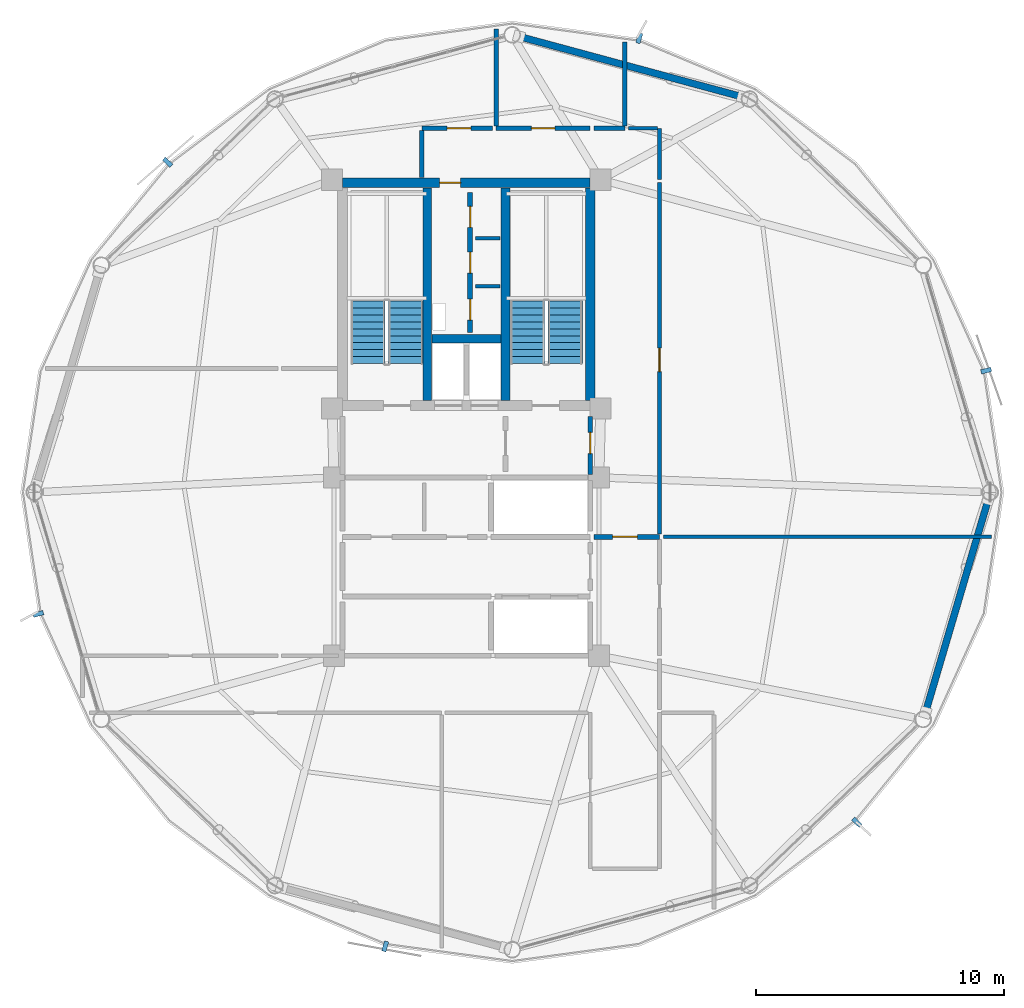
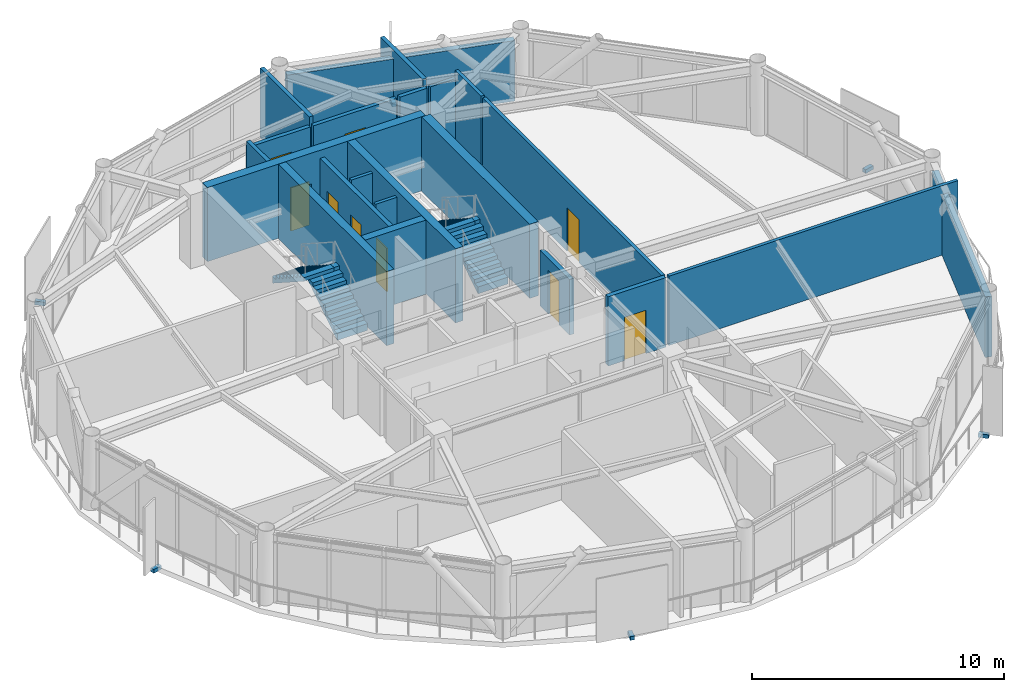
# One storey, part 24 of 28: 22 walls, 9 doors, 6 discrete accessories, 4 stair flights, 9 openings, 2 elements without a shape of their own.
"""IFC4 building model written with IfcOpenShell, lengths in metres."""

from ifc_helpers import new_model, si_unit, direction, frame, frame_2d, origin, origin_2d, place, context, subcontext, project, spatial, polyline, rectangle, outline, extrude, source, transform, mapped, material, layer, layer_set, type_object, type_shapes, element, fill, aggregate, save


model = new_model("IFC4")

# Units and contexts
model_context = context("Model", 3, precision=1e-05, world=origin(), true_north=direction((0.0, 1.0)))
body_context = subcontext(model_context, "Body", "Model", "MODEL_VIEW")
ifc_project = project(units=[si_unit("LENGTHUNIT", "METRE"), si_unit("AREAUNIT", "SQUARE_METRE"), si_unit("VOLUMEUNIT", "CUBIC_METRE"), si_unit("PLANEANGLEUNIT", "RADIAN"), si_unit("MASSUNIT", "GRAM", prefix="KILO")], contexts=[model_context])

# Site, building, storey
site_placement = place(None, origin())
site = spatial("IfcSite", under=ifc_project, at=site_placement, CompositionType="ELEMENT")
building_placement = place(site_placement, origin())
building = spatial("IfcBuilding", under=site, at=building_placement, Name="Varnakorn Sky Granary", CompositionType="ELEMENT")
storey_placement = place(building_placement, frame((0.0, 0.0, 204.0)))
storey = spatial("IfcBuildingStorey", under=building, at=storey_placement, Name="L51", CompositionType="ELEMENT", Elevation=204.0)

# Walls
ifc_material_1 = material(Name="Concrete C50/60", Category="concrete")
ifc_layer_1 = layer(ifc_material_1, 0.35009765625, Name="Concrete C50/60")
ifc_layer_set_1 = layer_set([ifc_layer_1], Name="Concrete C50/60")
wall_type_1 = type_object("IfcWallType", Name="WT-CW-INT-350", PredefinedType="SHEAR", material=ifc_layer_set_1)
for number, where, z_axis, x_axis, name in (
    (1, (1.419921875, 3.7099609375, 0.0), (0.0, 0.0, 1.0), (0.0, 1.0, 0.0), "Stair ST-1 Core Wall L51"),
    (2, (4.580078125, 3.7099609375, 0.0), (0.0, 0.0, 1.0), (0.0, 1.0, 0.0), "Stair ST-2 Core Wall L51"),
):
    element("IfcWall", number, at=place(storey_placement, frame(where, z_axis=z_axis, x_axis=x_axis)), inside=storey, type_object=wall_type_1, Name=name, PredefinedType="SHEAR", context=body_context, shape_type="SweptSolid", body=[
        extrude(rectangle(XDim=8.580078125, YDim=0.35009765625, at=frame_2d((4.2900390625, 0.0))), origin(), (0.0, 0.0, 1.0), 3.592041015625),
    ])
wall_1_placement = place(storey_placement, frame((1.610107421875, 6.199951171875, 0.0), z_axis=(0.0, 0.0, 1.0), x_axis=(1.0, 0.0, 0.0)))
element("IfcWall", 3, at=wall_1_placement, inside=storey, type_object=wall_type_1, Name="Core Lift Shaft Cross Wall L51", PredefinedType="SHEAR", context=body_context, shape_type="SweptSolid", body=[
    extrude(rectangle(XDim=2.77978515625, YDim=0.35009765625, at=frame_2d((1.389892578125, 0.0))), origin(), (0.0, 0.0, 1.0), 3.592041015625),
])

# Wall, opening, door
ifc_layer_2 = layer(ifc_material_1, 0.39990234375, Name="Concrete C50/60")
ifc_layer_set_2 = layer_set([ifc_layer_2], Name="Concrete C50/60")
wall_type_2 = type_object("IfcWallType", Name="WT-CW-SHEAR-400", PredefinedType="SHEAR", material=ifc_layer_set_2)
wall_2_placement = place(storey_placement, frame((-2.0, 12.5, 0.0), z_axis=(0.0, 0.0, 1.0), x_axis=(1.0, 0.0, 0.0)))
wall_2 = element("IfcWall", 4, at=wall_2_placement, inside=storey, type_object=wall_type_2, Name="Core North Shear Wall L51", PredefinedType="SHEAR", context=body_context, shape_type="SweptSolid", body=[
    extrude(rectangle(XDim=10.0, YDim=0.39990234375, at=frame_2d((5.0, 0.0))), origin(), (0.0, 0.0, 1.0), 3.592041015625),
])
opening_1_placement = place(wall_2_placement, frame((3.919921875, 0.0, 0.0)))
opening_1 = element("IfcOpeningElement", 5, at=opening_1_placement, cuts=wall_2, Name="Opening FD-60N", PredefinedType="OPENING", context=body_context, shape_type="SweptSolid", body=[
    extrude(rectangle(XDim=0.85009765625, YDim=2.10009765625, at=frame_2d((0.425048828125, 1.050048828125))), frame((0.0, 0.2099609375, 0.0), z_axis=(0.0, -1.0, 0.0), x_axis=(1.0, 0.0, 0.0)), (0.0, 0.0, 1.0), 0.419921875),
])
ifc_material_2 = material(Name="Acoustic Timber Fire Leaf", Category="wood")
door_type_1 = type_object("IfcDoorType", Name="DR-FD60-850", OperationType="NOTDEFINED", PredefinedType="DOOR", material=ifc_material_2)
door_1_placement = place(opening_1_placement, origin())
door_1 = element("IfcDoor", 6, at=door_1_placement, inside=storey, type_object=door_type_1, Name="Core North Service Door L51", OperationType="SINGLE_SWING_LEFT", OverallHeight=2.10009765625, OverallWidth=0.85009765625, PredefinedType="DOOR", context=body_context, shape_type="SweptSolid", body=[
    extrude(rectangle(XDim=0.85009765625, YDim=2.10009765625, at=frame_2d((0.425048828125, 1.050048828125))), frame((0.0, 0.02490234375, 0.0), z_axis=(0.0, -1.0, 0.0), x_axis=(1.0, 0.0, 0.0)), (0.0, 0.0, 1.0), 0.050048828125),
])
fill(opening_1, door_1)

# Walls
wall_3_placement = place(storey_placement, frame((8.0, 3.7099609375, 0.0), z_axis=(0.0, 0.0, 1.0), x_axis=(0.0, 1.0, 0.0)))
element("IfcWall", 7, at=wall_3_placement, inside=storey, type_object=wall_type_2, Name="Core East Shear Wall L51", PredefinedType="SHEAR", context=body_context, shape_type="SweptSolid", body=[
    extrude(rectangle(XDim=8.580078125, YDim=0.39990234375, at=frame_2d((4.2900390625, 0.0))), origin(), (0.0, 0.0, 1.0), 3.592041015625),
])
ifc_material_3 = material(Name="Precast concrete C40/50", Category="concrete")
ifc_layer_3 = layer(ifc_material_3, 0.280029296875, Name="Precast concrete C40/50")
ifc_layer_set_3 = layer_set([ifc_layer_3], Name="Precast concrete C40/50")
wall_type_3 = type_object("IfcWallType", Name="WT-EW-CRN-280", PredefinedType="SOLIDWALL", material=ifc_layer_set_3)
wall_4_placement = place(storey_placement, frame((5.125, 18.404541015625, 0.0), z_axis=(0.0, 0.0, 1.0), x_axis=(0.965320770618, -0.261066676948, 0.0)))
element("IfcWall", 8, at=wall_4_placement, inside=storey, type_object=wall_type_3, Name="Agritech Insulated Precast Facade Wall L51-P03", PredefinedType="SOLIDWALL", context=body_context, shape_type="SweptSolid", body=[
    extrude(rectangle(XDim=9.361083984375, YDim=0.280029296875, at=frame_2d((4.6806640625, 0.0))), origin(), (0.0, 0.0, 1.0), 2.929931640625),
])
wall_5_placement = place(storey_placement, frame((24.077392578125, -0.2734375, 0.0), z_axis=(0.0, 0.0, 1.0), x_axis=(-0.282743953162, -0.959195421669, 0.0)))
element("IfcWall", 9, at=wall_5_placement, inside=storey, type_object=wall_type_3, Name="Agritech Insulated Precast Facade Wall L51-P12", PredefinedType="SOLIDWALL", context=body_context, shape_type="SweptSolid", body=[
    extrude(rectangle(XDim=8.9921875, YDim=0.280029296875, at=frame_2d((4.49609375, 0.0))), origin(), (0.0, 0.0, 1.0), 2.929931640625),
])

# Wall, openings, doors
ifc_material_4 = material(Name="Autoclaved Aerated Concrete Blockwork", Category="masonry")
ifc_layer_4 = layer(ifc_material_4, 0.199951171875, Name="Autoclaved Aerated Concrete Blockwork")
ifc_layer_set_4 = layer_set([ifc_layer_4], Name="Autoclaved Aerated Concrete Blockwork")
wall_type_4 = type_object("IfcWallType", Name="WT-FIRE-200", PredefinedType="MOVABLE", material=ifc_layer_set_4)
wall_6_placement = place(storey_placement, frame((3.14990234375, 6.449951171875, 0.0), z_axis=(0.0, 0.0, 1.0), x_axis=(0.0, 1.0, 0.0)))
wall_6 = element("IfcWall", 10, at=wall_6_placement, inside=storey, type_object=wall_type_4, Name="Interior Partition Wall L51-013", PredefinedType="MOVABLE", context=body_context, shape_type="SweptSolid", body=[
    extrude(rectangle(XDim=5.650146484375, YDim=0.199951171875, at=frame_2d((2.8251953125, 0.0))), origin(), (0.0, 0.0, 1.0), 3.360107421875),
])
opening_2_placement = place(wall_6_placement, frame((0.5, 0.0, 0.0)))
opening_2 = element("IfcOpeningElement", 11, at=opening_2_placement, cuts=wall_6, Name="Opening FD-60N", PredefinedType="OPENING", context=body_context, shape_type="SweptSolid", body=[
    extrude(rectangle(XDim=0.85009765625, YDim=2.10009765625, at=frame_2d((0.425048828125, 1.050048828125))), frame((0.0, 0.10986328125, 0.0), z_axis=(0.0, -1.0, 0.0), x_axis=(1.0, 0.0, 0.0)), (0.0, 0.0, 1.0), 0.219970703125),
])
opening_3_placement = place(wall_6_placement, frame((2.39990234375, 0.0, 0.0)))
opening_3 = element("IfcOpeningElement", 12, at=opening_3_placement, cuts=wall_6, Name="Opening FD-60N", PredefinedType="OPENING", context=body_context, shape_type="SweptSolid", body=[
    extrude(rectangle(XDim=0.85009765625, YDim=2.10009765625, at=frame_2d((0.425048828125, 1.050048828125))), frame((0.0, 0.10986328125, 0.0), z_axis=(0.0, -1.0, 0.0), x_axis=(1.0, 0.0, 0.0)), (0.0, 0.0, 1.0), 0.219970703125),
])
opening_4_placement = place(wall_6_placement, frame((4.25, 0.0, 0.0)))
opening_4 = element("IfcOpeningElement", 13, at=opening_4_placement, cuts=wall_6, Name="Opening FD-60N", PredefinedType="OPENING", context=body_context, shape_type="SweptSolid", body=[
    extrude(rectangle(XDim=0.85009765625, YDim=2.10009765625, at=frame_2d((0.425048828125, 1.050048828125))), frame((0.0, 0.10986328125, 0.0), z_axis=(0.0, -1.0, 0.0), x_axis=(1.0, 0.0, 0.0)), (0.0, 0.0, 1.0), 0.219970703125),
])
door_2_placement = place(opening_2_placement, origin())
door_2 = element("IfcDoor", 14, at=door_2_placement, inside=storey, type_object=door_type_1, Name="Interior Door L51-013-1", OperationType="SINGLE_SWING_RIGHT", OverallHeight=2.10009765625, OverallWidth=0.85009765625, PredefinedType="DOOR", context=body_context, shape_type="SweptSolid", body=[
    extrude(rectangle(XDim=0.85009765625, YDim=2.10009765625, at=frame_2d((0.425048828125, 1.050048828125))), frame((0.0, 0.02490234375, 0.0), z_axis=(0.0, -1.0, 0.0), x_axis=(1.0, 0.0, 0.0)), (0.0, 0.0, 1.0), 0.050048828125),
])
fill(opening_2, door_2)
door_3_placement = place(opening_3_placement, origin())
door_3 = element("IfcDoor", 15, at=door_3_placement, inside=storey, type_object=door_type_1, Name="Interior Door L51-013-2", OperationType="SINGLE_SWING_LEFT", OverallHeight=2.10009765625, OverallWidth=0.85009765625, PredefinedType="DOOR", context=body_context, shape_type="SweptSolid", body=[
    extrude(rectangle(XDim=0.85009765625, YDim=2.10009765625, at=frame_2d((0.425048828125, 1.050048828125))), frame((0.0, 0.02490234375, 0.0), z_axis=(0.0, -1.0, 0.0), x_axis=(1.0, 0.0, 0.0)), (0.0, 0.0, 1.0), 0.050048828125),
])
fill(opening_3, door_3)
door_4_placement = place(opening_4_placement, origin())
door_4 = element("IfcDoor", 16, at=door_4_placement, inside=storey, type_object=door_type_1, Name="Interior Door L51-013-3", OperationType="SINGLE_SWING_RIGHT", OverallHeight=2.10009765625, OverallWidth=0.85009765625, PredefinedType="DOOR", context=body_context, shape_type="SweptSolid", body=[
    extrude(rectangle(XDim=0.85009765625, YDim=2.10009765625, at=frame_2d((0.425048828125, 1.050048828125))), frame((0.0, 0.02490234375, 0.0), z_axis=(0.0, -1.0, 0.0), x_axis=(1.0, 0.0, 0.0)), (0.0, 0.0, 1.0), 0.050048828125),
])
fill(opening_4, door_4)

# Wall, opening, door
wall_7_placement = place(storey_placement, frame((8.0, 0.719970703125, 0.0), z_axis=(0.0, 0.0, 1.0), x_axis=(0.0, 1.0, 0.0)))
wall_7 = element("IfcWall", 17, at=wall_7_placement, inside=storey, type_object=wall_type_4, Name="Interior Partition Wall L51-015", PredefinedType="MOVABLE", context=body_context, shape_type="SweptSolid", body=[
    extrude(rectangle(XDim=2.35009765625, YDim=0.199951171875, at=frame_2d((1.175048828125, 0.0))), origin(), (0.0, 0.0, 1.0), 2.69189453125),
])
opening_5_placement = place(wall_7_placement, frame((0.844970703125, 0.0, 0.0)))
opening_5 = element("IfcOpeningElement", 18, at=opening_5_placement, cuts=wall_7, Name="Opening FD-60N", PredefinedType="OPENING", context=body_context, shape_type="SweptSolid", body=[
    extrude(rectangle(XDim=0.85009765625, YDim=2.10009765625, at=frame_2d((0.425048828125, 1.050048828125))), frame((0.0, 0.10986328125, 0.0), z_axis=(0.0, -1.0, 0.0), x_axis=(1.0, 0.0, 0.0)), (0.0, 0.0, 1.0), 0.219970703125),
])
door_5_placement = place(opening_5_placement, origin())
door_5 = element("IfcDoor", 19, at=door_5_placement, inside=storey, type_object=door_type_1, Name="Interior Door L51-015-1", OperationType="SINGLE_SWING_RIGHT", OverallHeight=2.10009765625, OverallWidth=0.85009765625, PredefinedType="DOOR", context=body_context, shape_type="SweptSolid", body=[
    extrude(rectangle(XDim=0.85009765625, YDim=2.10009765625, at=frame_2d((0.425048828125, 1.050048828125))), frame((0.0, 0.02490234375, 0.0), z_axis=(0.0, -1.0, 0.0), x_axis=(1.0, 0.0, 0.0)), (0.0, 0.0, 1.0), 0.050048828125),
])
fill(opening_5, door_5)

wall_8_placement = place(storey_placement, frame((8.159912109375, -1.800048828125, 0.0), z_axis=(0.0, 0.0, 1.0), x_axis=(1.0, 0.0, 0.0)))
wall_8 = element("IfcWall", 20, at=wall_8_placement, inside=storey, type_object=wall_type_4, Name="Interior Partition Wall L51-018", PredefinedType="MOVABLE", context=body_context, shape_type="SweptSolid", body=[
    extrude(rectangle(XDim=2.64013671875, YDim=0.199951171875, at=frame_2d((1.320068359375, 0.0))), origin(), (0.0, 0.0, 1.0), 3.360107421875),
])
opening_6_placement = place(wall_8_placement, frame((0.739990234375, 0.0, 0.0)))
opening_6 = element("IfcOpeningElement", 21, at=opening_6_placement, cuts=wall_8, Name="Opening FD-60", PredefinedType="OPENING", context=body_context, shape_type="SweptSolid", body=[
    extrude(rectangle(XDim=1.0, YDim=2.10009765625, at=frame_2d((0.5, 1.050048828125))), frame((0.0, 0.10986328125, 0.0), z_axis=(0.0, -1.0, 0.0), x_axis=(1.0, 0.0, 0.0)), (0.0, 0.0, 1.0), 0.219970703125),
])
door_type_2 = type_object("IfcDoorType", Name="DR-FD60-1000", OperationType="NOTDEFINED", PredefinedType="DOOR", material=ifc_material_2)
door_6_placement = place(opening_6_placement, origin())
door_6 = element("IfcDoor", 22, at=door_6_placement, inside=storey, type_object=door_type_2, Name="Interior Door L51-018-1", OperationType="SINGLE_SWING_RIGHT", OverallHeight=2.10009765625, OverallWidth=1.0, PredefinedType="DOOR", context=body_context, shape_type="SweptSolid", body=[
    extrude(rectangle(XDim=1.0, YDim=2.10009765625, at=frame_2d((0.5, 1.050048828125))), frame((0.0, 0.02490234375, 0.0), z_axis=(0.0, -1.0, 0.0), x_axis=(1.0, 0.0, 0.0)), (0.0, 0.0, 1.0), 0.050048828125),
])
fill(opening_6, door_6)

ifc_material_5 = material(Name="Gypsum Plasterboard on Steel Stud", Category="steel")
ifc_layer_5 = layer(ifc_material_5, 0.14990234375, Name="Gypsum Plasterboard on Steel Stud")
ifc_layer_set_5 = layer_set([ifc_layer_5], Name="Gypsum Plasterboard on Steel Stud")
wall_type_5 = type_object("IfcWallType", Name="WT-PART-150", PredefinedType="PARTITIONING", material=ifc_layer_set_5)
wall_9_placement = place(storey_placement, frame((10.800048828125, -1.68994140625, 0.0), z_axis=(0.0, 0.0, 1.0), x_axis=(0.0, 1.0, 0.0)))
wall_9 = element("IfcWall", 23, at=wall_9_placement, inside=storey, type_object=wall_type_5, Name="Interior Partition Wall L51-025", PredefinedType="PARTITIONING", context=body_context, shape_type="SweptSolid", body=[
    extrude(rectangle(XDim=14.18994140625, YDim=0.14990234375, at=frame_2d((7.094970703125, 0.0))), origin(), (0.0, 0.0, 1.0), 3.360107421875),
])
opening_7_placement = place(wall_9_placement, frame((6.56494140625, 0.0, 0.0)))
opening_7 = element("IfcOpeningElement", 24, at=opening_7_placement, cuts=wall_9, Name="Opening ID-95", PredefinedType="OPENING", context=body_context, shape_type="SweptSolid", body=[
    extrude(rectangle(XDim=0.949951171875, YDim=2.10009765625, at=frame_2d((0.47509765625, 1.050048828125))), frame((0.0, 0.0849609375, 0.0), z_axis=(0.0, -1.0, 0.0), x_axis=(1.0, 0.0, 0.0)), (0.0, 0.0, 1.0), 0.169921875),
])
ifc_material_6 = material(Name="Solid-Core Teak Veneer Leaf", Category="timber")
door_type_3 = type_object("IfcDoorType", Name="DR-INT-950", OperationType="NOTDEFINED", PredefinedType="DOOR", material=ifc_material_6)
door_7_placement = place(opening_7_placement, origin())
door_7 = element("IfcDoor", 25, at=door_7_placement, inside=storey, type_object=door_type_3, Name="Interior Door L51-025-1", OperationType="SINGLE_SWING_LEFT", OverallHeight=2.10009765625, OverallWidth=0.949951171875, PredefinedType="DOOR", context=body_context, shape_type="SweptSolid", body=[
    extrude(rectangle(XDim=0.949951171875, YDim=2.10009765625, at=frame_2d((0.47509765625, 1.050048828125))), frame((0.0, 0.02490234375, 0.0), z_axis=(0.0, -1.0, 0.0), x_axis=(1.0, 0.0, 0.0)), (0.0, 0.0, 1.0), 0.050048828125),
])
fill(opening_7, door_7)

# Walls
for number, where, z_axis, x_axis, name in (
    (26, (3.3701171875, 8.320068359375, 0.0), (0.0, 0.0, 1.0), (1.0, 0.0, 0.0), "Interior Partition Wall L51-026"),
    (27, (3.3701171875, 10.260009765625, 0.0), (0.0, 0.0, 1.0), (1.0, 0.0, 0.0), "Interior Partition Wall L51-027"),
):
    element("IfcWall", number, at=place(storey_placement, frame(where, z_axis=z_axis, x_axis=x_axis)), inside=storey, type_object=wall_type_5, Name=name, PredefinedType="PARTITIONING", context=body_context, shape_type="SweptSolid", body=[
        extrude(rectangle(XDim=0.97998046875, YDim=0.14990234375, at=frame_2d((0.489990234375, 0.0))), origin(), (0.0, 0.0, 1.0), 3.360107421875),
    ])
wall_10_placement = place(storey_placement, frame((10.9599609375, -1.800048828125, 0.0), z_axis=(0.0, 0.0, 1.0), x_axis=(1.0, 0.0, 0.0)))
element("IfcWall", 28, at=wall_10_placement, inside=storey, type_object=wall_type_5, Name="Interior Partition Wall L51-041", PredefinedType="PARTITIONING", context=body_context, shape_type="SweptSolid", body=[
    extrude(rectangle(XDim=13.244140625, YDim=0.14990234375, at=frame_2d((6.6220703125, 0.0))), origin(), (0.0, 0.0, 1.0), 3.360107421875),
])
wall_11_placement = place(storey_placement, frame((10.800048828125, 12.635009765625, 0.0), z_axis=(0.0, 0.0, 1.0), x_axis=(0.0, 1.0, 0.0)))
element("IfcWall", 29, at=wall_11_placement, inside=storey, type_object=wall_type_5, Name="Interior Partition Wall L51-048", PredefinedType="PARTITIONING", context=body_context, shape_type="SweptSolid", body=[
    extrude(rectangle(XDim=2.06494140625, YDim=0.14990234375, at=frame_2d((1.032470703125, 0.0))), origin(), (0.0, 0.0, 1.0), 3.360107421875),
])
wall_12_placement = place(storey_placement, frame((10.715087890625, 14.699951171875, 0.0), z_axis=(0.0, 0.0, 1.0), x_axis=(-1.0, 0.0, 0.0)))
element("IfcWall", 30, at=wall_12_placement, inside=storey, type_object=wall_type_5, Name="Interior Partition Wall L51-049", PredefinedType="PARTITIONING", context=body_context, shape_type="SweptSolid", body=[
    extrude(rectangle(XDim=1.1650390625, YDim=0.14990234375, at=frame_2d((0.58251953125, 0.0))), origin(), (0.0, 0.0, 1.0), 3.011962890625),
])

# Wall, opening, door
ifc_material_7 = material(Name="Moisture-Resistant Gypsum on Stud", Category="gypsum")
ifc_layer_6 = layer(ifc_material_7, 0.179931640625, Name="Moisture-Resistant Gypsum on Stud")
ifc_layer_set_6 = layer_set([ifc_layer_6], Name="Moisture-Resistant Gypsum on Stud")
wall_type_6 = type_object("IfcWallType", Name="WT-PLUMB-180", PredefinedType="PLUMBINGWALL", material=ifc_layer_set_6)
wall_13_placement = place(storey_placement, frame((8.0, 14.699951171875, 0.0), z_axis=(0.0, 0.0, 1.0), x_axis=(-1.0, 0.0, 0.0)))
wall_13 = element("IfcWall", 31, at=wall_13_placement, inside=storey, type_object=wall_type_6, Name="Interior Partition Wall L51-019", PredefinedType="PLUMBINGWALL", context=body_context, shape_type="SweptSolid", body=[
    extrude(rectangle(XDim=3.800048828125, YDim=0.179931640625, at=frame_2d((1.89990234375, 0.0))), origin(), (0.0, 0.0, 1.0), 3.011962890625),
])
opening_8_placement = place(wall_13_placement, frame((1.425048828125, 0.0, 0.0)))
opening_8 = element("IfcOpeningElement", 32, at=opening_8_placement, cuts=wall_13, Name="Opening ID-95", PredefinedType="OPENING", context=body_context, shape_type="SweptSolid", body=[
    extrude(rectangle(XDim=0.949951171875, YDim=2.10009765625, at=frame_2d((0.47509765625, 1.050048828125))), frame((0.0, 0.10009765625, 0.0), z_axis=(0.0, -1.0, 0.0), x_axis=(1.0, 0.0, 0.0)), (0.0, 0.0, 1.0), 0.199951171875),
])
door_8_placement = place(opening_8_placement, origin())
door_8 = element("IfcDoor", 33, at=door_8_placement, inside=storey, type_object=door_type_3, Name="Interior Door L51-019-1", OperationType="SINGLE_SWING_LEFT", OverallHeight=2.10009765625, OverallWidth=0.949951171875, PredefinedType="DOOR", context=body_context, shape_type="SweptSolid", body=[
    extrude(rectangle(XDim=0.949951171875, YDim=2.10009765625, at=frame_2d((0.47509765625, 1.050048828125))), frame((0.0, 0.02490234375, 0.0), z_axis=(0.0, -1.0, 0.0), x_axis=(1.0, 0.0, 0.0)), (0.0, 0.0, 1.0), 0.050048828125),
])
fill(opening_8, door_8)

wall_14_placement = place(storey_placement, frame((4.050048828125, 14.699951171875, 0.0), z_axis=(0.0, 0.0, 1.0), x_axis=(-1.0, 0.0, 0.0)))
wall_14 = element("IfcWall", 34, at=wall_14_placement, inside=storey, type_object=wall_type_6, Name="Interior Partition Wall L51-024", PredefinedType="PLUMBINGWALL", context=body_context, shape_type="SweptSolid", body=[
    extrude(rectangle(XDim=2.85009765625, YDim=0.179931640625, at=frame_2d((1.425048828125, 0.0))), origin(), (0.0, 0.0, 1.0), 3.011962890625),
])
opening_9_placement = place(wall_14_placement, frame((0.875, 0.0, 0.0)))
opening_9 = element("IfcOpeningElement", 35, at=opening_9_placement, cuts=wall_14, Name="Opening ID-95", PredefinedType="OPENING", context=body_context, shape_type="SweptSolid", body=[
    extrude(rectangle(XDim=0.949951171875, YDim=2.10009765625, at=frame_2d((0.47509765625, 1.050048828125))), frame((0.0, 0.10009765625, 0.0), z_axis=(0.0, -1.0, 0.0), x_axis=(1.0, 0.0, 0.0)), (0.0, 0.0, 1.0), 0.199951171875),
])
door_9_placement = place(opening_9_placement, origin())
door_9 = element("IfcDoor", 36, at=door_9_placement, inside=storey, type_object=door_type_3, Name="Interior Door L51-024-1", OperationType="SINGLE_SWING_RIGHT", OverallHeight=2.10009765625, OverallWidth=0.949951171875, PredefinedType="DOOR", context=body_context, shape_type="SweptSolid", body=[
    extrude(rectangle(XDim=0.949951171875, YDim=2.10009765625, at=frame_2d((0.47509765625, 1.050048828125))), frame((0.0, 0.02490234375, 0.0), z_axis=(0.0, -1.0, 0.0), x_axis=(1.0, 0.0, 0.0)), (0.0, 0.0, 1.0), 0.050048828125),
])
fill(opening_9, door_9)

# Walls
wall_15_placement = place(storey_placement, frame((9.39990234375, 14.699951171875, 0.0), z_axis=(0.0, 0.0, 1.0), x_axis=(-1.0, 0.0, 0.0)))
element("IfcWall", 37, at=wall_15_placement, inside=storey, type_object=wall_type_6, Name="Interior Partition Wall L51-033", PredefinedType="PLUMBINGWALL", context=body_context, shape_type="SweptSolid", body=[
    extrude(rectangle(XDim=1.25, YDim=0.179931640625, at=frame_2d((0.625, 0.0))), origin(), (0.0, 0.0, 1.0), 3.011962890625),
])
wall_16_placement = place(storey_placement, frame((1.199951171875, 14.60009765625, 0.0), z_axis=(0.0, 0.0, 1.0), x_axis=(0.0, -1.0, 0.0)))
element("IfcWall", 38, at=wall_16_placement, inside=storey, type_object=wall_type_6, Name="Interior Partition Wall L51-046", PredefinedType="PLUMBINGWALL", context=body_context, shape_type="SweptSolid", body=[
    extrude(rectangle(XDim=1.89013671875, YDim=0.179931640625, at=frame_2d((0.945068359375, 0.0))), origin(), (0.0, 0.0, 1.0), 3.360107421875),
])
wall_17_placement = place(storey_placement, frame((4.199951171875, 18.700927734375, 0.0), z_axis=(0.0, 0.0, 1.0), x_axis=(0.0, -1.0, 0.0)))
element("IfcWall", 39, at=wall_17_placement, inside=storey, type_object=wall_type_6, Name="Interior Partition Wall L51-047", PredefinedType="PLUMBINGWALL", context=body_context, shape_type="SweptSolid", body=[
    extrude(rectangle(XDim=3.90087890625, YDim=0.179931640625, at=frame_2d((1.950439453125, 0.0))), origin(), (0.0, 0.0, 1.0), 3.360107421875),
])
wall_18_placement = place(storey_placement, frame((9.39990234375, 14.800048828125, 0.0), z_axis=(0.0, 0.0, 1.0), x_axis=(0.0, 1.0, 0.0)))
element("IfcWall", 40, at=wall_18_placement, inside=storey, type_object=wall_type_6, Name="Interior Partition Wall L51-050", PredefinedType="PLUMBINGWALL", context=body_context, shape_type="SweptSolid", body=[
    extrude(rectangle(XDim=3.375, YDim=0.179931640625, at=frame_2d((1.6875, 0.0))), origin(), (0.0, 0.0, 1.0), 3.360107421875),
])

# Stair, stair flights
ifc_material_8 = material(Name="Concrete C40/50", Category="concrete")
stair_type = type_object("IfcStairType", Name="ST-MAIN-ASSEMBLY", PredefinedType="HALF_TURN_STAIR", material=ifc_material_8)
stair_1_placement = place(storey_placement, origin())
stair_1 = element("IfcStair", 41, at=stair_1_placement, inside=storey, type_object=stair_type, Name="L51 Protected Exit Stair ST-1", PredefinedType="HALF_TURN_STAIR")
stair_flight_type = type_object("IfcStairFlightType", Name="ST-MAIN-FLIGHT", PredefinedType="STRAIGHT", material=ifc_material_8)
stair_flight_1_placement = place(storey_placement, frame((0.550048828125, 5.199951171875, 0.0), z_axis=(0.0, 0.0, 1.0), x_axis=(0.0, 1.0, 0.0)))
stair_flight_1 = element("IfcStairFlight", 42, at=stair_flight_1_placement, type_object=stair_flight_type, Name="ST-1 flight 1", NumberOfRisers=10, NumberOfTreads=9, PredefinedType="STRAIGHT", RiserHeight=0.18, TreadLength=0.28, context=body_context, shape_type="SweptSolid", body=[
    extrude(outline(polyline([(0.0, -0.14990234375), (0.0, 0.0), (0.0, 0.179931640625), (0.280029296875, 0.179931640625), (0.280029296875, 0.360107421875), (0.56005859375, 0.360107421875), (0.56005859375, 0.5400390625), (0.840087890625, 0.5400390625), (0.840087890625, 0.719970703125), (1.1201171875, 0.719970703125), (1.1201171875, 0.89990234375), (1.39990234375, 0.89990234375), (1.39990234375, 1.080078125), (1.679931640625, 1.080078125), (1.679931640625, 1.260009765625), (1.9599609375, 1.260009765625), (1.9599609375, 1.43994140625), (2.239990234375, 1.43994140625), (2.239990234375, 1.6201171875), (2.52001953125, 1.6201171875), (2.52001953125, 1.800048828125), (2.52001953125, 1.44189453125), (0.050048828125, -0.14990234375), (0.0, -0.14990234375)])), frame((0.0, 0.68994140625, 0.0), z_axis=(0.0, -1.0, 0.0), x_axis=(1.0, 0.0, 0.0)), (0.0, 0.0, 1.0), 1.3798828125),
])
stair_flight_2_placement = place(storey_placement, frame((-0.97998046875, 7.719970703125, 1.800048828125), z_axis=(0.0, 0.0, 1.0), x_axis=(0.0, -1.0, 0.0)))
stair_flight_2 = element("IfcStairFlight", 43, at=stair_flight_2_placement, type_object=stair_flight_type, Name="ST-1 flight 2", NumberOfRisers=10, NumberOfTreads=9, PredefinedType="STRAIGHT", RiserHeight=0.18, TreadLength=0.28, context=body_context, shape_type="SweptSolid", body=[
    extrude(outline(polyline([(0.0, -0.14990234375), (0.0, 0.0), (0.0, 0.179931640625), (0.280029296875, 0.179931640625), (0.280029296875, 0.360107421875), (0.56005859375, 0.360107421875), (0.56005859375, 0.5400390625), (0.840087890625, 0.5400390625), (0.840087890625, 0.719970703125), (1.1201171875, 0.719970703125), (1.1201171875, 0.89990234375), (1.39990234375, 0.89990234375), (1.39990234375, 1.080078125), (1.679931640625, 1.080078125), (1.679931640625, 1.260009765625), (1.9599609375, 1.260009765625), (1.9599609375, 1.43994140625), (2.239990234375, 1.43994140625), (2.239990234375, 1.6201171875), (2.52001953125, 1.6201171875), (2.52001953125, 1.800048828125), (2.52001953125, 1.44189453125), (0.050048828125, -0.14990234375), (0.0, -0.14990234375)])), frame((0.0, 0.68994140625, 0.0), z_axis=(0.0, -1.0, 0.0), x_axis=(1.0, 0.0, 0.0)), (0.0, 0.0, 1.0), 1.3798828125),
])
aggregate(stair_1, [stair_flight_1, stair_flight_2])

stair_2_placement = place(storey_placement, origin())
stair_2 = element("IfcStair", 44, at=stair_2_placement, inside=storey, type_object=stair_type, Name="L51 Protected Exit Stair ST-2", PredefinedType="HALF_TURN_STAIR")
stair_flight_3_placement = place(storey_placement, frame((6.989990234375, 5.199951171875, 0.0), z_axis=(0.0, 0.0, 1.0), x_axis=(0.0, 1.0, 0.0)))
stair_flight_3 = element("IfcStairFlight", 45, at=stair_flight_3_placement, type_object=stair_flight_type, Name="ST-2 flight 1", NumberOfRisers=10, NumberOfTreads=9, PredefinedType="STRAIGHT", RiserHeight=0.18, TreadLength=0.28, context=body_context, shape_type="SweptSolid", body=[
    extrude(outline(polyline([(0.0, -0.14990234375), (0.0, 0.0), (0.0, 0.179931640625), (0.280029296875, 0.179931640625), (0.280029296875, 0.360107421875), (0.56005859375, 0.360107421875), (0.56005859375, 0.5400390625), (0.840087890625, 0.5400390625), (0.840087890625, 0.719970703125), (1.1201171875, 0.719970703125), (1.1201171875, 0.89990234375), (1.39990234375, 0.89990234375), (1.39990234375, 1.080078125), (1.679931640625, 1.080078125), (1.679931640625, 1.260009765625), (1.9599609375, 1.260009765625), (1.9599609375, 1.43994140625), (2.239990234375, 1.43994140625), (2.239990234375, 1.6201171875), (2.52001953125, 1.6201171875), (2.52001953125, 1.800048828125), (2.52001953125, 1.44189453125), (0.050048828125, -0.14990234375), (0.0, -0.14990234375)])), frame((0.0, 0.68994140625, 0.0), z_axis=(0.0, -1.0, 0.0), x_axis=(1.0, 0.0, 0.0)), (0.0, 0.0, 1.0), 1.3798828125),
])
stair_flight_4_placement = place(storey_placement, frame((5.4599609375, 7.719970703125, 1.800048828125), z_axis=(0.0, 0.0, 1.0), x_axis=(0.0, -1.0, 0.0)))
stair_flight_4 = element("IfcStairFlight", 46, at=stair_flight_4_placement, type_object=stair_flight_type, Name="ST-2 flight 2", NumberOfRisers=10, NumberOfTreads=9, PredefinedType="STRAIGHT", RiserHeight=0.18, TreadLength=0.28, context=body_context, shape_type="SweptSolid", body=[
    extrude(outline(polyline([(0.0, -0.14990234375), (0.0, 0.0), (0.0, 0.179931640625), (0.280029296875, 0.179931640625), (0.280029296875, 0.360107421875), (0.56005859375, 0.360107421875), (0.56005859375, 0.5400390625), (0.840087890625, 0.5400390625), (0.840087890625, 0.719970703125), (1.1201171875, 0.719970703125), (1.1201171875, 0.89990234375), (1.39990234375, 0.89990234375), (1.39990234375, 1.080078125), (1.679931640625, 1.080078125), (1.679931640625, 1.260009765625), (1.9599609375, 1.260009765625), (1.9599609375, 1.43994140625), (2.239990234375, 1.43994140625), (2.239990234375, 1.6201171875), (2.52001953125, 1.6201171875), (2.52001953125, 1.800048828125), (2.52001953125, 1.44189453125), (0.050048828125, -0.14990234375), (0.0, -0.14990234375)])), frame((0.0, 0.68994140625, 0.0), z_axis=(0.0, -1.0, 0.0), x_axis=(1.0, 0.0, 0.0)), (0.0, 0.0, 1.0), 1.3798828125),
])
aggregate(stair_2, [stair_flight_3, stair_flight_4])

# Discrete accessories
ifc_material_9 = material(Name="Steel S355JR", Category="steel")
discrete_accessory_type = type_object("IfcDiscreteAccessoryType", Name="AC-BRK-01", PredefinedType="BRACKET", material=ifc_material_9)
shared_shape = source(origin(), body_context, "Body", "SweptSolid", [
    extrude(rectangle(XDim=0.179931640625, YDim=0.419921875, at=origin_2d()), origin(), (0.0, 0.0, 1.0), 0.179931640625),
])
type_shapes(discrete_accessory_type, [shared_shape])
for number, where, z_axis, x_axis, name in (
    (47, (23.98828125, 4.912109375, -0.2001953125), (0.0, 0.0, 1.0), (-0.248612522015, 0.968603021829, 0.0), "Facade Solar-Screen Outrigger Bracket L51-01"),
    (48, (9.979248046875, 18.3369140625, -0.2001953125), (0.0, 0.0, 1.0), (-0.963033096049, 0.269383102502, 0.0), "Facade Solar-Screen Outrigger Bracket L51-03"),
    (49, (-9.06640625, 13.326416015625, -0.2001953125), (0.0, 0.0, 1.0), (-0.691633991155, -0.722248172223, 0.0), "Facade Solar-Screen Outrigger Bracket L51-05"),
    (50, (-14.2880859375, -4.912109375, -0.2001953125), (0.0, 0.0, 1.0), (0.248612522015, -0.968603021829, 0.0), "Facade Solar-Screen Outrigger Bracket L51-07"),
    (51, (-0.279296875, -18.3369140625, -0.2001953125), (0.0, 0.0, 1.0), (0.963033096049, -0.269383102502, 0.0), "Facade Solar-Screen Outrigger Bracket L51-09"),
    (52, (18.766357421875, -13.326416015625, -0.2001953125), (0.0, 0.0, 1.0), (0.691633991155, 0.722248172223, 0.0), "Facade Solar-Screen Outrigger Bracket L51-11"),
):
    element("IfcDiscreteAccessory", number, at=place(storey_placement, frame(where, z_axis=z_axis, x_axis=x_axis)), inside=storey, type_object=discrete_accessory_type, Name=name, PredefinedType="BRACKET", context=body_context, shape_type="MappedRepresentation", body=[
        mapped(shared_shape, transform((0.0, 0.0, 0.0), x_axis=(1.0, 0.0, 0.0), y_axis=(0.0, 1.0, 0.0), z_axis=(0.0, 0.0, 1.0), scale=1.0)),
    ])

save(model, "model.ifc")
